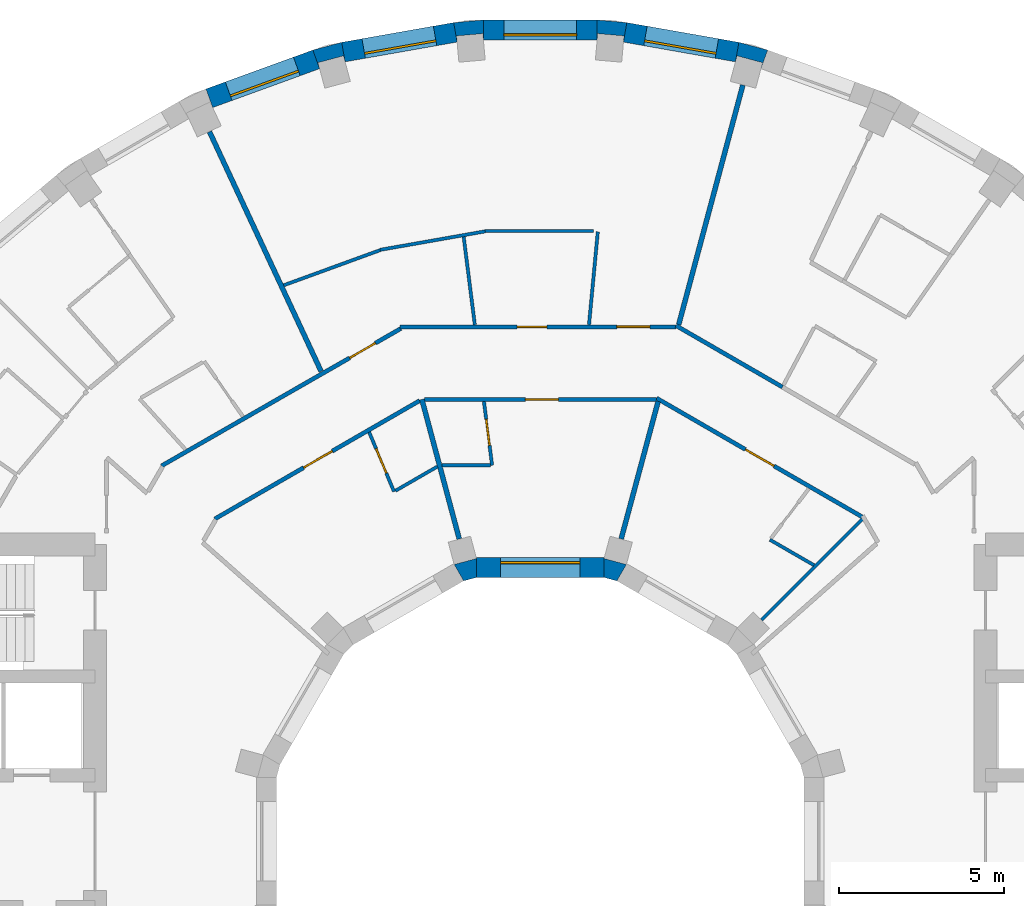
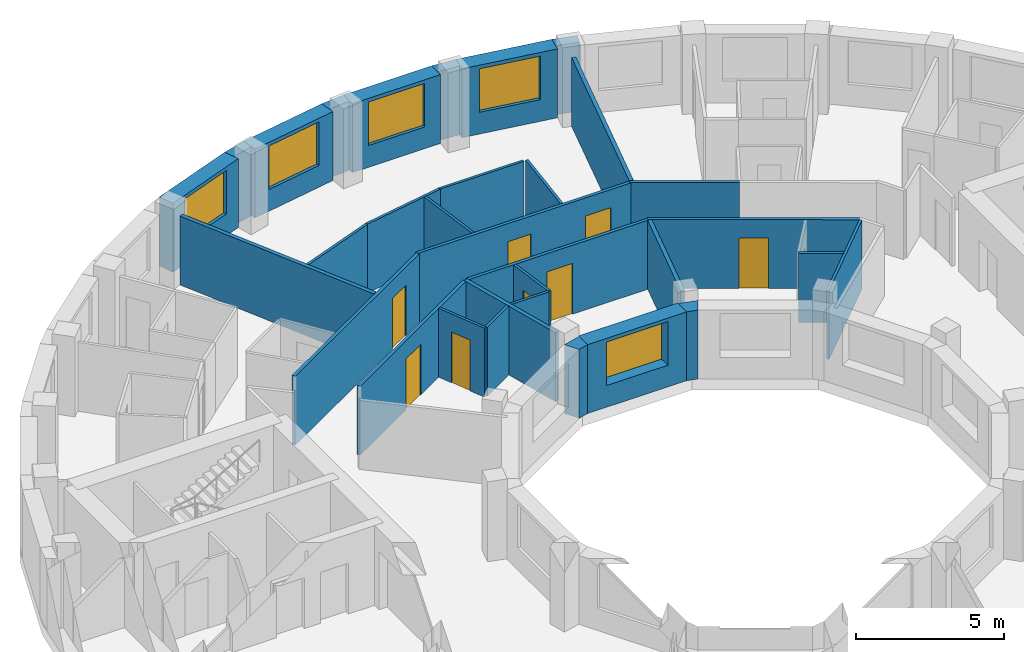
# One storey, part 8 of 11: 32 walls, 8 doors, 5 windows, 13 openings.
"""IFC4 building model written with IfcOpenShell, lengths in metres."""

import ifcopenshell
import ifcopenshell.guid

model = None  # the IFC model being written
_history = None  # IfcOwnerHistory: only IFC2X3 demands one
_inside = {}  # id of a spatial element -> (the spatial element, [elements in it])
_under = {}  # id of a project, library or spatial element -> (it, [spatial elements below it])
_declared = {}  # id of a project -> (the project, [libraries it declares])
_typed = {}  # id of a type object -> (the type object, [elements of that type])
_made_of = {}  # id of a material, layer set ... -> (it, [elements and type objects made of it])


def new_model(schema):
    """Start an empty IFC model of exactly this schema.

    Asked for "IFC4X3", IfcOpenShell would pick the latest addendum, in which some entities
    have other attributes; the version numbers below select the first issue.
    IFC2X3 requires an IfcOwnerHistory on every rooted entity: one is made here for all.
    """
    global model, _history
    if schema == "IFC4X3":
        model = ifcopenshell.file(schema_version=(4, 3, 0, 0))
    else:
        model = ifcopenshell.file(schema=schema)
    _inside.clear()
    _under.clear()
    _declared.clear()
    _typed.clear()
    _made_of.clear()
    _history = None
    if model.schema == "IFC2X3":
        org = make("IfcOrganization", Name="unknown")
        user = make(
            "IfcPersonAndOrganization",
            ThePerson=make("IfcPerson", FamilyName="unknown"),
            TheOrganization=org,
        )
        app = make(
            "IfcApplication",
            ApplicationDeveloper=org,
            Version="unknown",
            ApplicationFullName="unknown",
            ApplicationIdentifier="unknown",
        )
        _history = make(
            "IfcOwnerHistory",
            OwningUser=user,
            OwningApplication=app,
            ChangeAction="ADDED",
            CreationDate=0,
        )
    return model


def make(cls, **values):
    """One entity of the class cls with the attributes given. An attribute that is None is left unset."""
    return model.create_entity(
        cls, **{name: value for name, value in values.items() if value is not None}
    )


def rooted(cls, **values):
    """An entity with a GlobalId (a new one), such as an element, a storey or a relation."""
    return make(cls, GlobalId=ifcopenshell.guid.new(), OwnerHistory=_history, **values)


def si_unit(unit_type, name, prefix=None):
    """IfcSIUnit, for example si_unit("LENGTHUNIT", "METRE", prefix="MILLI")."""
    return make("IfcSIUnit", UnitType=unit_type, Prefix=prefix, Name=name)


def assignment(units):
    """IfcUnitAssignment: the units of a project."""
    return None if units is None else make("IfcUnitAssignment", Units=units)


def point(xyz):
    """IfcCartesianPoint."""
    return None if xyz is None else make("IfcCartesianPoint", Coordinates=xyz)


def direction(xyz):
    """IfcDirection."""
    return None if xyz is None else make("IfcDirection", DirectionRatios=xyz)


def frame(location, z_axis=None, x_axis=None):
    """IfcAxis2Placement3D, a coordinate frame: its origin and axes. An axis left out is left unset."""
    return make(
        "IfcAxis2Placement3D",
        Location=point(location),
        Axis=direction(z_axis),
        RefDirection=direction(x_axis),
    )


def frame_2d(location, x_axis=None):
    """IfcAxis2Placement2D, a coordinate frame in the plane: its origin and x axis."""
    return make(
        "IfcAxis2Placement2D", Location=point(location), RefDirection=direction(x_axis)
    )


def origin():
    """The frame at (0, 0, 0) with its axes left unset."""
    return frame((0.0, 0.0, 0.0))


def place(relative_to, where):
    """IfcLocalPlacement: puts the frame where relative to a parent placement (None: the world)."""
    return make(
        "IfcLocalPlacement", PlacementRelTo=relative_to, RelativePlacement=where
    )


def context(
    kind, dimensions, precision=None, world=None, true_north=None, identifier=None
):
    """IfcGeometricRepresentationContext, for example the 3D "Model" context."""
    return make(
        "IfcGeometricRepresentationContext",
        ContextIdentifier=identifier,
        ContextType=kind,
        CoordinateSpaceDimension=dimensions,
        Precision=precision,
        WorldCoordinateSystem=world,
        TrueNorth=true_north,
    )


def subcontext(parent, identifier, kind, view, scale=None):
    """IfcGeometricRepresentationSubContext, for example "Body" below "Model"."""
    return make(
        "IfcGeometricRepresentationSubContext",
        ContextIdentifier=identifier,
        ContextType=kind,
        ParentContext=parent,
        TargetScale=scale,
        TargetView=view,
    )


def project(units=None, contexts=None):
    """IfcProject with its units and contexts."""
    return rooted(
        "IfcProject",
        Name="project",
        RepresentationContexts=contexts,
        UnitsInContext=assignment(units),
    )


def spatial(cls, under=None, at=None, **own):
    """A site, building, storey or space (cls), placed at a placement, below another one or the project."""
    s = rooted(cls, ObjectPlacement=at, **own)
    if under is not None:
        _under.setdefault(under.id(), (under, []))[1].append(s)
    return s


def polyline(points):
    """IfcPolyline through the points."""
    return make("IfcPolyline", Points=[point(p) for p in points])


def profile(cls, at=None, kind="AREA", **sizes):
    """A parametric profile (cls). Its sizes go by their IFC names, for example OverallWidth=200.0."""
    return make(cls, ProfileType=kind, Position=at, **sizes)


def rectangle(**sizes):
    """IfcRectangleProfileDef."""
    return profile("IfcRectangleProfileDef", **sizes)


def outline(outer, holes=None, kind="AREA"):
    """IfcArbitraryClosedProfileDef: a profile drawn as a closed curve; with holes, ...WithVoids."""
    if holes is None:
        return make("IfcArbitraryClosedProfileDef", ProfileType=kind, OuterCurve=outer)
    return make(
        "IfcArbitraryProfileDefWithVoids",
        ProfileType=kind,
        OuterCurve=outer,
        InnerCurves=holes,
    )


def extrude(swept, where, along, depth):
    """IfcExtrudedAreaSolid: the profile swept, set in the frame where, extruded along a direction by depth."""
    return make(
        "IfcExtrudedAreaSolid",
        SweptArea=swept,
        Position=where,
        ExtrudedDirection=direction(along),
        Depth=depth,
    )


def shape(context_of_items, identifier, shape_type, items):
    """IfcShapeRepresentation: the items that make up one representation, for example the "Body"."""
    return make(
        "IfcShapeRepresentation",
        ContextOfItems=context_of_items,
        RepresentationIdentifier=identifier,
        RepresentationType=shape_type,
        Items=items,
    )


def material(Name=None, Category=None):
    """IfcMaterial."""
    return make("IfcMaterial", Name=Name, Category=Category)


def layer(
    of_material, thickness, ventilated=None, Name=None, Category=None, Priority=None
):
    """IfcMaterialLayer: one layer of a wall or slab, of a material (None: an air gap)."""
    return make(
        "IfcMaterialLayer",
        Material=of_material,
        LayerThickness=thickness,
        IsVentilated=ventilated,
        Name=Name,
        Category=Category,
        Priority=Priority,
    )


def layer_set(layers, Name=None):
    """IfcMaterialLayerSet."""
    return make("IfcMaterialLayerSet", MaterialLayers=layers, LayerSetName=Name)


def made_of(thing, what):
    """Note that an element or type object is made of a material, layer set ...; save() writes the relation."""
    if what is not None:
        _made_of.setdefault(what.id(), (what, []))[1].append(thing)
    return thing


def type_object(cls, material=None, **own):
    """A type object (cls), such as IfcWallType, which elements share."""
    return made_of(rooted(cls, **own), material)


def element(
    cls,
    number,
    at=None,
    inside=None,
    cuts=None,
    type_object=None,
    material=None,
    context=None,
    identifier="Body",
    shape_type=None,
    held_by="IfcProductDefinitionShape",
    body=None,
    shapes=None,
    **own,
):
    """One element of the class cls, such as IfcWall. Its Tag is "e" and its number.

    at: its placement. inside: the storey or other place that contains it. cuts: it is an
    opening in that element (IfcRelVoidsElement). A single representation is given by context,
    identifier, shape_type and body (its items); several are given by shapes. held_by: the class
    of the entity that holds the representations. save() writes the other relations.
    """
    e = rooted(cls, Tag="e%d" % number, ObjectPlacement=at, **own)
    if body is not None:
        shapes = [shape(context, identifier, shape_type, body)]
    if shapes is not None:
        e.Representation = make(held_by, Representations=shapes)
    if inside is not None:
        _inside.setdefault(inside.id(), (inside, []))[1].append(e)
    if cuts is not None:
        rooted(
            "IfcRelVoidsElement", RelatingBuildingElement=cuts, RelatedOpeningElement=e
        )
    if type_object is not None:
        _typed.setdefault(type_object.id(), (type_object, []))[1].append(e)
    return made_of(e, material)


def fill(opening, filler):
    """IfcRelFillsElement: the door or window that sits in an opening."""
    return rooted(
        "IfcRelFillsElement",
        RelatingOpeningElement=opening,
        RelatedBuildingElement=filler,
    )


def aggregate(whole, parts):
    """IfcRelAggregates: a whole, such as a stair, and the parts it consists of."""
    return rooted("IfcRelAggregates", RelatingObject=whole, RelatedObjects=parts)


def save(model, path):
    """Write the relations noted so far, then the file.

    IfcRelAggregates (storeys below a building ...), IfcRelContainedInSpatialStructure (elements
    in a storey), IfcRelDefinesByType, IfcRelAssociatesMaterial and IfcRelDeclares: one each for
    every whole, place, type object, material and project.
    """
    for whole, parts in _under.values():
        aggregate(whole, parts)
    for where, things in _inside.values():
        rooted(
            "IfcRelContainedInSpatialStructure",
            RelatedElements=things,
            RelatingStructure=where,
        )
    for kind, things in _typed.values():
        rooted("IfcRelDefinesByType", RelatedObjects=things, RelatingType=kind)
    for what, things in _made_of.values():
        rooted("IfcRelAssociatesMaterial", RelatedObjects=things, RelatingMaterial=what)
    for by, libraries in _declared.values():
        rooted("IfcRelDeclares", RelatingContext=by, RelatedDefinitions=libraries)
    model.write(path)


model = new_model("IFC4")

# Units and contexts
model_context = context("Model", 3, precision=1e-05, world=origin(), true_north=direction((0.0, 1.0)))
body_context = subcontext(model_context, "Body", "Model", "MODEL_VIEW")
ifc_project = project(units=[si_unit("LENGTHUNIT", "METRE"), si_unit("AREAUNIT", "SQUARE_METRE"), si_unit("VOLUMEUNIT", "CUBIC_METRE"), si_unit("PLANEANGLEUNIT", "RADIAN"), si_unit("MASSUNIT", "GRAM", prefix="KILO")], contexts=[model_context])

# Site, building, storey
site_placement = place(None, origin())
site = spatial("IfcSite", under=ifc_project, at=site_placement, CompositionType="ELEMENT")
building_placement = place(site_placement, origin())
building = spatial("IfcBuilding", under=site, at=building_placement, Name="Saqina Gate Tower", CompositionType="ELEMENT")
storey_placement = place(building_placement, frame((0.0, 0.0, 180.60009765625)))
storey = spatial("IfcBuildingStorey", under=building, at=storey_placement, Name="L51", CompositionType="ELEMENT", Elevation=180.60009765625)

# Walls
ifc_material_1 = material(Name="Brick masonry (buff)", Category="masonry")
wall_type_1 = type_object("IfcWallType", Name="BRICK PIER COPING BUFF", PredefinedType="SOLIDWALL", material=ifc_material_1)
wall_1_placement = place(storey_placement, origin())
element("IfcWall", 1, at=wall_1_placement, inside=storey, type_object=wall_type_1, Name="Pier cap L51 column 8", PredefinedType="SOLIDWALL", context=body_context, shape_type="SweptSolid", body=[
    extrude(outline(polyline([(6.0234375, 24.22705078125), (5.919189453125, 23.635986328125), (5.967529296875, 23.81689453125), (6.740478515625, 23.610107421875), (6.69189453125, 23.428955078125), (6.897216796875, 23.992919921875), (6.0234375, 24.22705078125)])), origin(), (0.0, 0.0, 1.0), 2.849853515625),
])
wall_2_placement = place(storey_placement, origin())
element("IfcWall", 2, at=wall_2_placement, inside=storey, type_object=wall_type_1, Name="Pier cap L51 column 9", PredefinedType="SOLIDWALL", context=body_context, shape_type="SweptSolid", body=[
    extrude(outline(polyline([(2.6259765625, 24.825927734375), (1.724853515625, 24.90478515625), (1.724853515625, 24.304931640625), (1.7412109375, 24.491455078125), (2.5380859375, 24.421630859375), (2.521728515625, 24.235107421875), (2.6259765625, 24.825927734375)])), origin(), (0.0, 0.0, 1.0), 2.849853515625),
])
wall_3_placement = place(storey_placement, origin())
element("IfcWall", 3, at=wall_3_placement, inside=storey, type_object=wall_type_1, Name="Pier cap L51 column 10", PredefinedType="SOLIDWALL", context=body_context, shape_type="SweptSolid", body=[
    extrude(outline(polyline([(-1.724853515625, 24.90478515625), (-2.6259765625, 24.825927734375), (-2.521728515625, 24.235107421875), (-2.5380859375, 24.421630859375), (-1.7412109375, 24.491455078125), (-1.724853515625, 24.304931640625), (-1.724853515625, 24.90478515625)])), origin(), (0.0, 0.0, 1.0), 2.849853515625),
])
wall_4_placement = place(storey_placement, origin())
element("IfcWall", 4, at=wall_4_placement, inside=storey, type_object=wall_type_1, Name="Pier cap L51 column 11", PredefinedType="SOLIDWALL", context=body_context, shape_type="SweptSolid", body=[
    extrude(outline(polyline([(-6.0234375, 24.22705078125), (-6.897216796875, 23.992919921875), (-6.69189453125, 23.428955078125), (-6.740478515625, 23.610107421875), (-5.967529296875, 23.81689453125), (-5.919189453125, 23.635986328125), (-6.0234375, 24.22705078125)])), origin(), (0.0, 0.0, 1.0), 2.849853515625),
])

# Wall, opening, window
ifc_material_2 = material(Name="Brick masonry (buff)", Category="masonry")
ifc_layer_1 = layer(ifc_material_2, 0.60009765625)
ifc_layer_set_1 = layer_set([ifc_layer_1], Name="FW-BRICK-BUFF")
wall_type_2 = type_object("IfcWallType", Name="FW-BRICK-BUFF", PredefinedType="SOLIDWALL", material=ifc_layer_set_1)
wall_5_placement = place(storey_placement, frame((5.97119140625, 23.931640625, 0.0), z_axis=(0.0, 0.0, 1.0), x_axis=(-0.984814892183, 0.173607684551, 0.0)))
wall_5 = element("IfcWall", 5, at=wall_5_placement, inside=storey, type_object=wall_type_2, Name="Facade wall L51 facet 8", PredefinedType="SOLIDWALL", context=body_context, shape_type="SweptSolid", body=[
    extrude(rectangle(XDim=3.44970703125, YDim=0.60009765625, at=frame_2d((1.724853515625, 0.0))), origin(), (0.0, 0.0, 1.0), 2.849853515625),
])
opening_1_placement = place(wall_5_placement, frame((0.625, 0.0, 0.89990234375)))
opening_1 = element("IfcOpeningElement", 6, at=opening_1_placement, cuts=wall_5, Name="Opening G15-W05", PredefinedType="OPENING", context=body_context, shape_type="SweptSolid", body=[
    extrude(rectangle(XDim=2.199951171875, YDim=1.800048828125, at=frame_2d((1.10009765625, 0.89990234375))), frame((0.0, 0.31201171875, 0.0), z_axis=(0.0, -1.0, 0.0), x_axis=(1.0, 0.0, 0.0)), (0.0, 0.0, 1.0), 0.6240234375),
])
ifc_material_3 = material(Name="Aluminium glazing", Category="aluminium")
window_type_1 = type_object("IfcWindowType", Name="WN-C", PartitioningType="SINGLE_PANEL", PredefinedType="WINDOW", material=ifc_material_3)
window_1_placement = place(opening_1_placement, origin())
window_1 = element("IfcWindow", 7, at=window_1_placement, inside=storey, type_object=window_type_1, Name="Window L51 facet 8", OverallHeight=1.800048828125, OverallWidth=2.199951171875, PartitioningType="SINGLE_PANEL", PredefinedType="WINDOW", context=body_context, shape_type="SweptSolid", body=[
    extrude(rectangle(XDim=2.199951171875, YDim=1.800048828125, at=frame_2d((1.10009765625, 0.89990234375))), frame((0.0, 0.179931640625, 0.0), z_axis=(0.0, -1.0, 0.0), x_axis=(1.0, 0.0, 0.0)), (0.0, 0.0, 1.0), 0.06005859375),
])
fill(opening_1, window_1)

wall_6_placement = place(storey_placement, frame((1.724853515625, 24.60498046875, 0.0), z_axis=(0.0, 0.0, 1.0), x_axis=(-1.0, 0.0, 0.0)))
wall_6 = element("IfcWall", 8, at=wall_6_placement, inside=storey, type_object=wall_type_2, Name="Facade wall L51 facet 9", PredefinedType="SOLIDWALL", context=body_context, shape_type="SweptSolid", body=[
    extrude(rectangle(XDim=3.44970703125, YDim=0.60009765625, at=frame_2d((1.724853515625, 0.0))), origin(), (0.0, 0.0, 1.0), 2.849853515625),
])
opening_2_placement = place(wall_6_placement, frame((0.625, 0.0, 0.89990234375)))
opening_2 = element("IfcOpeningElement", 9, at=opening_2_placement, cuts=wall_6, Name="Opening G15-W06", PredefinedType="OPENING", context=body_context, shape_type="SweptSolid", body=[
    extrude(rectangle(XDim=2.199951171875, YDim=1.800048828125, at=frame_2d((1.10009765625, 0.89990234375))), frame((0.0, 0.31201171875, 0.0), z_axis=(0.0, -1.0, 0.0), x_axis=(1.0, 0.0, 0.0)), (0.0, 0.0, 1.0), 0.6240234375),
])
window_2_placement = place(opening_2_placement, origin())
window_2 = element("IfcWindow", 10, at=window_2_placement, inside=storey, type_object=window_type_1, Name="Window L51 facet 9", OverallHeight=1.800048828125, OverallWidth=2.199951171875, PartitioningType="SINGLE_PANEL", PredefinedType="WINDOW", context=body_context, shape_type="SweptSolid", body=[
    extrude(rectangle(XDim=2.199951171875, YDim=1.800048828125, at=frame_2d((1.10009765625, 0.89990234375))), frame((0.0, 0.179931640625, 0.0), z_axis=(0.0, -1.0, 0.0), x_axis=(1.0, 0.0, 0.0)), (0.0, 0.0, 1.0), 0.06005859375),
])
fill(opening_2, window_2)

wall_7_placement = place(storey_placement, frame((-2.573974609375, 24.530517578125, 0.0), z_axis=(0.0, 0.0, 1.0), x_axis=(-0.984814892183, -0.173607684551, 0.0)))
wall_7 = element("IfcWall", 11, at=wall_7_placement, inside=storey, type_object=wall_type_2, Name="Facade wall L51 facet 10", PredefinedType="SOLIDWALL", context=body_context, shape_type="SweptSolid", body=[
    extrude(rectangle(XDim=3.44970703125, YDim=0.60009765625, at=frame_2d((1.724853515625, 0.0))), origin(), (0.0, 0.0, 1.0), 2.849853515625),
])
opening_3_placement = place(wall_7_placement, frame((0.625, 0.0, 0.89990234375)))
opening_3 = element("IfcOpeningElement", 12, at=opening_3_placement, cuts=wall_7, Name="Opening G15-W07", PredefinedType="OPENING", context=body_context, shape_type="SweptSolid", body=[
    extrude(rectangle(XDim=2.199951171875, YDim=1.800048828125, at=frame_2d((1.10009765625, 0.89990234375))), frame((0.0, 0.31201171875, 0.0), z_axis=(0.0, -1.0, 0.0), x_axis=(1.0, 0.0, 0.0)), (0.0, 0.0, 1.0), 0.6240234375),
])
window_3_placement = place(opening_3_placement, origin())
window_3 = element("IfcWindow", 13, at=window_3_placement, inside=storey, type_object=window_type_1, Name="Window L51 facet 10", OverallHeight=1.800048828125, OverallWidth=2.199951171875, PartitioningType="SINGLE_PANEL", PredefinedType="WINDOW", context=body_context, shape_type="SweptSolid", body=[
    extrude(rectangle(XDim=2.199951171875, YDim=1.800048828125, at=frame_2d((1.10009765625, 0.89990234375))), frame((0.0, 0.179931640625, 0.0), z_axis=(0.0, -1.0, 0.0), x_axis=(1.0, 0.0, 0.0)), (0.0, 0.0, 1.0), 0.06005859375),
])
fill(opening_3, window_3)

wall_8_placement = place(storey_placement, frame((-6.79443359375, 23.7109375, 0.0), z_axis=(0.0, 0.0, 1.0), x_axis=(-0.93968799822, -0.342032843455, 0.0)))
wall_8 = element("IfcWall", 14, at=wall_8_placement, inside=storey, type_object=wall_type_2, Name="Facade wall L51 facet 11", PredefinedType="SOLIDWALL", context=body_context, shape_type="SweptSolid", body=[
    extrude(rectangle(XDim=3.44970703125, YDim=0.60009765625, at=frame_2d((1.724853515625, 0.0))), origin(), (0.0, 0.0, 1.0), 2.849853515625),
])
opening_4_placement = place(wall_8_placement, frame((0.625, 0.0, 0.89990234375)))
opening_4 = element("IfcOpeningElement", 15, at=opening_4_placement, cuts=wall_8, Name="Opening G15-W08", PredefinedType="OPENING", context=body_context, shape_type="SweptSolid", body=[
    extrude(rectangle(XDim=2.199951171875, YDim=1.800048828125, at=frame_2d((1.10009765625, 0.89990234375))), frame((0.0, 0.31201171875, 0.0), z_axis=(0.0, -1.0, 0.0), x_axis=(1.0, 0.0, 0.0)), (0.0, 0.0, 1.0), 0.6240234375),
])
window_4_placement = place(opening_4_placement, origin())
window_4 = element("IfcWindow", 16, at=window_4_placement, inside=storey, type_object=window_type_1, Name="Window L51 facet 11", OverallHeight=1.800048828125, OverallWidth=2.199951171875, PartitioningType="SINGLE_PANEL", PredefinedType="WINDOW", context=body_context, shape_type="SweptSolid", body=[
    extrude(rectangle(XDim=2.199951171875, YDim=1.800048828125, at=frame_2d((1.10009765625, 0.89990234375))), frame((0.0, 0.179931640625, 0.0), z_axis=(0.0, -1.0, 0.0), x_axis=(1.0, 0.0, 0.0)), (0.0, 0.0, 1.0), 0.06005859375),
])
fill(opening_4, window_4)

ifc_material_4 = material(Name="Glazed ceramic tile", Category="ceramic")
ifc_layer_2 = layer(ifc_material_4, 0.60009765625)
ifc_layer_set_2 = layer_set([ifc_layer_2], Name="IW-TILE")
wall_type_3 = type_object("IfcWallType", Name="IW-TILE", PredefinedType="SOLIDWALL", material=ifc_layer_set_2)
wall_9_placement = place(storey_placement, frame((1.934814453125, 8.300048828125, 0.0), z_axis=(0.0, 0.0, 1.0), x_axis=(-1.0, 0.0, 0.0)))
wall_9 = element("IfcWall", 17, at=wall_9_placement, inside=storey, type_object=wall_type_3, Name="Well wall L51 facet 3", PredefinedType="SOLIDWALL", context=body_context, shape_type="SweptSolid", body=[
    extrude(rectangle(XDim=3.86962890625, YDim=0.60009765625, at=frame_2d((1.934814453125, 0.0))), origin(), (0.0, 0.0, 1.0), 2.849853515625),
])
opening_5_placement = place(wall_9_placement, frame((0.73486328125, 0.0, 0.89990234375)))
opening_5 = element("IfcOpeningElement", 18, at=opening_5_placement, cuts=wall_9, Name="Opening G15-W28", PredefinedType="OPENING", context=body_context, shape_type="SweptSolid", body=[
    extrude(rectangle(XDim=2.39990234375, YDim=1.800048828125, at=frame_2d((1.199951171875, 0.89990234375))), frame((0.0, 0.31201171875, 0.0), z_axis=(0.0, -1.0, 0.0), x_axis=(1.0, 0.0, 0.0)), (0.0, 0.0, 1.0), 0.6240234375),
])
ifc_material_5 = material(Name="Aluminium glazing", Category="aluminium")
window_type_2 = type_object("IfcWindowType", Name="WN-W", PartitioningType="SINGLE_PANEL", PredefinedType="WINDOW", material=ifc_material_5)
window_5_placement = place(opening_5_placement, origin())
window_5 = element("IfcWindow", 19, at=window_5_placement, inside=storey, type_object=window_type_2, Name="Well window L51 facet 3", OverallHeight=1.800048828125, OverallWidth=2.39990234375, PartitioningType="SINGLE_PANEL", PredefinedType="WINDOW", context=body_context, shape_type="SweptSolid", body=[
    extrude(rectangle(XDim=2.39990234375, YDim=1.800048828125, at=frame_2d((1.199951171875, 0.89990234375))), frame((0.0, -0.119873046875, 0.0), z_axis=(0.0, -1.0, 0.0), x_axis=(1.0, 0.0, 0.0)), (0.0, 0.0, 1.0), 0.06005859375),
])
fill(opening_5, window_5)

# Wall
ifc_material_6 = material(Name="Gypsum board on steel studs, 100 mm", Category="steel")
ifc_layer_3 = layer(ifc_material_6, 0.10009765625)
ifc_layer_set_3 = layer_set([ifc_layer_3], Name="PARTITION 100")
wall_type_4 = type_object("IfcWallType", Name="PARTITION 100", PredefinedType="PARTITIONING", material=ifc_layer_set_3)
wall_10_placement = place(storey_placement, frame((-2.32275390625, 18.330322265625, 0.0), z_axis=(0.0, 0.0, 1.0), x_axis=(0.125632208846, -0.992076886184, 0.0)))
element("IfcWall", 20, at=wall_10_placement, inside=storey, type_object=wall_type_4, Name="PARTITION PW3-02", PredefinedType="PARTITIONING", context=body_context, shape_type="SweptSolid", body=[
    extrude(rectangle(XDim=2.689453125, YDim=0.10009765625, at=frame_2d((1.3447265625, 0.0))), origin(), (0.0, 0.0, 1.0), 2.849853515625),
])

# Wall, opening, door
wall_11_placement = place(storey_placement, frame((-1.708984375, 13.337890625, 0.0), z_axis=(0.0, 0.0, 1.0), x_axis=(0.126956267131, -0.991908315439, 0.0)))
wall_11 = element("IfcWall", 21, at=wall_11_placement, inside=storey, type_object=wall_type_4, Name="PARTITION PW3-03", PredefinedType="PARTITIONING", context=body_context, shape_type="SweptSolid", body=[
    extrude(rectangle(XDim=1.953857421875, YDim=0.10009765625, at=frame_2d((0.97705078125, 0.0))), origin(), (0.0, 0.0, 1.0), 2.849853515625),
])
opening_6_placement = place(wall_11_placement, frame((0.545654296875, 0.0, 0.0)))
opening_6 = element("IfcOpeningElement", 22, at=opening_6_placement, cuts=wall_11, Name="Opening G15-D12", PredefinedType="OPENING", context=body_context, shape_type="SweptSolid", body=[
    extrude(rectangle(XDim=0.800048828125, YDim=2.10009765625, at=frame_2d((0.39990234375, 1.050048828125))), frame((0.0, 0.06201171875, 0.0), z_axis=(0.0, -1.0, 0.0), x_axis=(1.0, 0.0, 0.0)), (0.0, 0.0, 1.0), 0.1240234375),
])
ifc_material_7 = material(Name="Timber door leaf, 800 mm", Category="wood")
door_type_1 = type_object("IfcDoorType", Name="DOOR 800 TIMBER", OperationType="SINGLE_SWING_LEFT", PredefinedType="DOOR", material=ifc_material_7)
door_1_placement = place(opening_6_placement, origin())
door_1 = element("IfcDoor", 23, at=door_1_placement, inside=storey, type_object=door_type_1, Name="DOOR G15-D12", OperationType="SINGLE_SWING_LEFT", OverallHeight=2.10009765625, OverallWidth=0.800048828125, PredefinedType="DOOR", context=body_context, shape_type="SweptSolid", body=[
    extrude(rectangle(XDim=0.800048828125, YDim=2.10009765625, at=frame_2d((0.39990234375, 1.050048828125))), frame((0.0, 0.02490234375, 0.0), z_axis=(0.0, -1.0, 0.0), x_axis=(1.0, 0.0, 0.0)), (0.0, 0.0, 1.0), 0.050048828125),
])
fill(opening_6, door_1)

wall_12_placement = place(storey_placement, frame((-5.18896484375, 12.4052734375, 0.0), z_axis=(0.0, 0.0, 1.0), x_axis=(0.385910563531, -0.922536198182, 0.0)))
wall_12 = element("IfcWall", 24, at=wall_12_placement, inside=storey, type_object=wall_type_4, Name="PARTITION PW3-05", PredefinedType="PARTITIONING", context=body_context, shape_type="SweptSolid", body=[
    extrude(rectangle(XDim=1.95361328125, YDim=0.10009765625, at=frame_2d((0.976806640625, 0.0))), origin(), (0.0, 0.0, 1.0), 2.849853515625),
])
opening_7_placement = place(wall_12_placement, frame((0.545654296875, 0.0, 0.0)))
opening_7 = element("IfcOpeningElement", 25, at=opening_7_placement, cuts=wall_12, Name="Opening G15-D14", PredefinedType="OPENING", context=body_context, shape_type="SweptSolid", body=[
    extrude(rectangle(XDim=0.800048828125, YDim=2.10009765625, at=frame_2d((0.39990234375, 1.050048828125))), frame((0.0, 0.06201171875, 0.0), z_axis=(0.0, -1.0, 0.0), x_axis=(1.0, 0.0, 0.0)), (0.0, 0.0, 1.0), 0.1240234375),
])
door_2_placement = place(opening_7_placement, frame((0.800048828125, 0.0, 0.0), z_axis=(0.0, 0.0, 1.0), x_axis=(-1.0, 0.0, 0.0)))
door_2 = element("IfcDoor", 26, at=door_2_placement, inside=storey, type_object=door_type_1, Name="DOOR G15-D14", OperationType="SINGLE_SWING_RIGHT", OverallHeight=2.10009765625, OverallWidth=0.800048828125, PredefinedType="DOOR", context=body_context, shape_type="SweptSolid", body=[
    extrude(rectangle(XDim=0.800048828125, YDim=2.10009765625, at=frame_2d((0.39990234375, 1.050048828125))), frame((0.0, 0.02490234375, 0.0), z_axis=(0.0, -1.0, 0.0), x_axis=(1.0, 0.0, 0.0)), (0.0, 0.0, 1.0), 0.050048828125),
])
fill(opening_7, door_2)

# Walls
wall_13_placement = place(storey_placement, frame((6.965087890625, 9.14208984375, 0.0), z_axis=(0.0, 0.0, 1.0), x_axis=(0.865956409518, -0.500119482538, 0.0)))
element("IfcWall", 27, at=wall_13_placement, inside=storey, type_object=wall_type_4, Name="PARTITION PW3-24", PredefinedType="PARTITIONING", context=body_context, shape_type="SweptSolid", body=[
    extrude(rectangle(XDim=1.54345703125, YDim=0.10009765625, at=frame_2d((0.771728515625, 0.0))), origin(), (0.0, 0.0, 1.0), 2.849853515625),
])
wall_14_placement = place(storey_placement, frame((-2.97998046875, 11.39990234375, 0.0), z_axis=(0.0, 0.0, 1.0), x_axis=(1.0, 0.0, 0.0)))
element("IfcWall", 28, at=wall_14_placement, inside=storey, type_object=wall_type_4, Name="PARTITION PW3-33", PredefinedType="PARTITIONING", context=body_context, shape_type="SweptSolid", body=[
    extrude(rectangle(XDim=1.468994140625, YDim=0.10009765625, at=frame_2d((0.734375, 0.0))), origin(), (0.0, 0.0, 1.0), 2.849853515625),
])
wall_15_placement = place(storey_placement, frame((-1.669677734375, 18.5048828125, 0.0), z_axis=(0.0, 0.0, 1.0), x_axis=(1.0, 0.0, 0.0)))
element("IfcWall", 29, at=wall_15_placement, inside=storey, type_object=wall_type_4, Name="PARTITION PW3-34", PredefinedType="PARTITIONING", context=body_context, shape_type="SweptSolid", body=[
    extrude(rectangle(XDim=3.28857421875, YDim=0.10009765625, at=frame_2d((1.644287109375, 0.0))), origin(), (0.0, 0.0, 1.0), 2.849853515625),
])
wall_16_placement = place(storey_placement, frame((-4.85791015625, 17.93408203125, 0.0), z_axis=(0.0, 0.0, 1.0), x_axis=(0.984816929669, 0.173596126217, 0.0)))
element("IfcWall", 30, at=wall_16_placement, inside=storey, type_object=wall_type_4, Name="PARTITION PW3-35", PredefinedType="PARTITIONING", context=body_context, shape_type="SweptSolid", body=[
    extrude(rectangle(XDim=3.23876953125, YDim=0.10009765625, at=frame_2d((1.619384765625, 0.0))), origin(), (0.0, 0.0, 1.0), 2.849853515625),
])
wall_17_placement = place(storey_placement, frame((-7.779541015625, 16.860595703125, 0.0), z_axis=(0.0, 0.0, 1.0), x_axis=(0.939616954474, 0.3422279633, 0.0)))
element("IfcWall", 31, at=wall_17_placement, inside=storey, type_object=wall_type_4, Name="PARTITION PW3-37", PredefinedType="PARTITIONING", context=body_context, shape_type="SweptSolid", body=[
    extrude(rectangle(XDim=3.112548828125, YDim=0.10009765625, at=frame_2d((1.55615234375, 0.0))), origin(), (0.0, 0.0, 1.0), 2.849853515625),
])
wall_18_placement = place(storey_placement, frame((-4.3916015625, 10.6279296875, 0.0), z_axis=(0.0, 0.0, 1.0), x_axis=(0.865911474639, 0.500197279169, 0.0)))
element("IfcWall", 32, at=wall_18_placement, inside=storey, type_object=wall_type_4, Name="PARTITION PW3-41", PredefinedType="PARTITIONING", context=body_context, shape_type="SweptSolid", body=[
    extrude(rectangle(XDim=1.46875, YDim=0.10009765625, at=frame_2d((0.734375, 0.0))), origin(), (0.0, 0.0, 1.0), 2.849853515625),
])
wall_19_placement = place(storey_placement, frame((6.7119140625, 6.7119140625, 0.0), z_axis=(0.0, 0.0, 1.0), x_axis=(0.707106781187, 0.707106781187, 0.0)))
element("IfcWall", 33, at=wall_19_placement, inside=storey, type_object=wall_type_4, Name="PARTITION PW3-50", PredefinedType="PARTITIONING", context=body_context, shape_type="SweptSolid", body=[
    extrude(rectangle(XDim=4.317626953125, YDim=0.10009765625, at=frame_2d((2.15869140625, 0.0))), origin(), (0.0, 0.0, 1.0), 2.849853515625),
])
wall_20_placement = place(storey_placement, frame((1.477783203125, 15.662109375, 0.0), z_axis=(0.0, 0.0, 1.0), x_axis=(0.094349605613, 0.995539126263, 0.0)))
element("IfcWall", 34, at=wall_20_placement, inside=storey, type_object=wall_type_4, Name="PARTITION PW3-62", PredefinedType="PARTITIONING", context=body_context, shape_type="SweptSolid", body=[
    extrude(rectangle(XDim=2.83349609375, YDim=0.10009765625, at=frame_2d((1.416748046875, 0.0))), origin(), (0.0, 0.0, 1.0), 2.849853515625),
])

# Wall, opening, door
ifc_material_8 = material(Name="Gypsum board on steel studs, 125 mm, fire rated", Category="steel")
ifc_layer_4 = layer(ifc_material_8, 0.125)
ifc_layer_set_4 = layer_set([ifc_layer_4], Name="PARTITION EI 30 125")
wall_type_5 = type_object("IfcWallType", Name="PARTITION EI 30 125", PredefinedType="PARTITIONING", material=ifc_layer_set_4)
wall_21_placement = place(storey_placement, frame((3.528564453125, 13.43603515625, 0.0), z_axis=(0.0, 0.0, 1.0), x_axis=(0.865968995572, -0.500097689165, 0.0)))
wall_21 = element("IfcWall", 35, at=wall_21_placement, inside=storey, type_object=wall_type_5, Name="PARTITION PW1-16", PredefinedType="PARTITIONING", context=body_context, shape_type="SweptSolid", body=[
    extrude(rectangle(XDim=7.18994140625, YDim=0.125, at=frame_2d((3.594970703125, 0.0))), origin(), (0.0, 0.0, 1.0), 2.849853515625),
])
opening_8_placement = place(wall_21_placement, frame((3.111572265625, 0.0, 0.0)))
opening_8 = element("IfcOpeningElement", 36, at=opening_8_placement, cuts=wall_21, Name="Opening G15-D07", PredefinedType="OPENING", context=body_context, shape_type="SweptSolid", body=[
    extrude(rectangle(XDim=1.0, YDim=2.10009765625, at=frame_2d((0.5, 1.050048828125))), frame((0.0, 0.074462890625, 0.0), z_axis=(0.0, -1.0, 0.0), x_axis=(1.0, 0.0, 0.0)), (0.0, 0.0, 1.0), 0.14892578125),
])
ifc_material_9 = material(Name="Fire door leaf EI 30, 1000 mm")
door_type_2 = type_object("IfcDoorType", Name="DOOR 1000 EI 30", OperationType="SINGLE_SWING_LEFT", PredefinedType="DOOR", material=ifc_material_9)
door_3_placement = place(opening_8_placement, frame((1.0, 0.0, 0.0), z_axis=(0.0, 0.0, 1.0), x_axis=(-1.0, 0.0, 0.0)))
door_3 = element("IfcDoor", 37, at=door_3_placement, inside=storey, type_object=door_type_2, Name="DOOR G15-D07", OperationType="SINGLE_SWING_LEFT", OverallHeight=2.10009765625, OverallWidth=1.0, PredefinedType="DOOR", context=body_context, shape_type="SweptSolid", body=[
    extrude(rectangle(XDim=1.0, YDim=2.10009765625, at=frame_2d((0.5, 1.050048828125))), frame((0.0, 0.02490234375, 0.0), z_axis=(0.0, -1.0, 0.0), x_axis=(1.0, 0.0, 0.0)), (0.0, 0.0, 1.0), 0.050048828125),
])
fill(opening_8, door_3)

# Wall
wall_22_placement = place(storey_placement, frame((4.117431640625, 15.635986328125, 0.0), z_axis=(0.0, 0.0, 1.0), x_axis=(0.866036031404, -0.49998159197, 0.0)))
element("IfcWall", 38, at=wall_22_placement, inside=storey, type_object=wall_type_5, Name="PARTITION PW1-17", PredefinedType="PARTITIONING", context=body_context, shape_type="SweptSolid", body=[
    extrude(rectangle(XDim=3.724365234375, YDim=0.125, at=frame_2d((1.8623046875, 0.0))), origin(), (0.0, 0.0, 1.0), 2.849853515625),
])

# Wall, opening, door
wall_23_placement = place(storey_placement, frame((-3.51611328125, 13.39990234375, 0.0), z_axis=(0.0, 0.0, 1.0), x_axis=(1.0, 0.0, 0.0)))
wall_23 = element("IfcWall", 39, at=wall_23_placement, inside=storey, type_object=wall_type_5, Name="PARTITION PW1-21", PredefinedType="PARTITIONING", context=body_context, shape_type="SweptSolid", body=[
    extrude(rectangle(XDim=7.044677734375, YDim=0.125, at=frame_2d((3.5224609375, 0.0))), origin(), (0.0, 0.0, 1.0), 2.849853515625),
])
opening_9_placement = place(wall_23_placement, frame((3.06689453125, 0.0, 0.0)))
opening_9 = element("IfcOpeningElement", 40, at=opening_9_placement, cuts=wall_23, Name="Opening G15-D10", PredefinedType="OPENING", context=body_context, shape_type="SweptSolid", body=[
    extrude(rectangle(XDim=1.0, YDim=2.10009765625, at=frame_2d((0.5, 1.050048828125))), frame((0.0, 0.074462890625, 0.0), z_axis=(0.0, -1.0, 0.0), x_axis=(1.0, 0.0, 0.0)), (0.0, 0.0, 1.0), 0.14892578125),
])
door_4_placement = place(opening_9_placement, frame((1.0, 0.0, 0.0), z_axis=(0.0, 0.0, 1.0), x_axis=(-1.0, 0.0, 0.0)))
door_4 = element("IfcDoor", 41, at=door_4_placement, inside=storey, type_object=door_type_2, Name="DOOR G15-D10", OperationType="SINGLE_SWING_LEFT", OverallHeight=2.10009765625, OverallWidth=1.0, PredefinedType="DOOR", context=body_context, shape_type="SweptSolid", body=[
    extrude(rectangle(XDim=1.0, YDim=2.10009765625, at=frame_2d((0.5, 1.050048828125))), frame((0.0, 0.02490234375, 0.0), z_axis=(0.0, -1.0, 0.0), x_axis=(1.0, 0.0, 0.0)), (0.0, 0.0, 1.0), 0.050048828125),
])
fill(opening_9, door_4)

# Wall, openings, doors
wall_24_placement = place(storey_placement, frame((-4.251953125, 15.60009765625, 0.0), z_axis=(0.0, 0.0, 1.0), x_axis=(1.0, 0.0, 0.0)))
wall_24 = element("IfcWall", 42, at=wall_24_placement, inside=storey, type_object=wall_type_5, Name="PARTITION PW1-22", PredefinedType="PARTITIONING", context=body_context, shape_type="SweptSolid", body=[
    extrude(rectangle(XDim=8.369384765625, YDim=0.125, at=frame_2d((4.1845703125, 0.0))), origin(), (0.0, 0.0, 1.0), 2.849853515625),
])
opening_10_placement = place(wall_24_placement, frame((6.578125, 0.0, 0.0)))
opening_10 = element("IfcOpeningElement", 43, at=opening_10_placement, cuts=wall_24, Name="Opening G15-D09", PredefinedType="OPENING", context=body_context, shape_type="SweptSolid", body=[
    extrude(rectangle(XDim=1.0, YDim=2.10009765625, at=frame_2d((0.5, 1.050048828125))), frame((0.0, 0.074462890625, 0.0), z_axis=(0.0, -1.0, 0.0), x_axis=(1.0, 0.0, 0.0)), (0.0, 0.0, 1.0), 0.14892578125),
])
opening_11_placement = place(wall_24_placement, frame((3.549560546875, 0.0, 0.0)))
opening_11 = element("IfcOpeningElement", 44, at=opening_11_placement, cuts=wall_24, Name="Opening G15-D11", PredefinedType="OPENING", context=body_context, shape_type="SweptSolid", body=[
    extrude(rectangle(XDim=0.89990234375, YDim=2.10009765625, at=frame_2d((0.449951171875, 1.050048828125))), frame((0.0, 0.074462890625, 0.0), z_axis=(0.0, -1.0, 0.0), x_axis=(1.0, 0.0, 0.0)), (0.0, 0.0, 1.0), 0.14892578125),
])
door_5_placement = place(opening_10_placement, frame((1.0, 0.0, 0.0), z_axis=(0.0, 0.0, 1.0), x_axis=(-1.0, 0.0, 0.0)))
door_5 = element("IfcDoor", 45, at=door_5_placement, inside=storey, type_object=door_type_2, Name="DOOR G15-D09", OperationType="SINGLE_SWING_LEFT", OverallHeight=2.10009765625, OverallWidth=1.0, PredefinedType="DOOR", context=body_context, shape_type="SweptSolid", body=[
    extrude(rectangle(XDim=1.0, YDim=2.10009765625, at=frame_2d((0.5, 1.050048828125))), frame((0.0, 0.02490234375, 0.0), z_axis=(0.0, -1.0, 0.0), x_axis=(1.0, 0.0, 0.0)), (0.0, 0.0, 1.0), 0.050048828125),
])
fill(opening_10, door_5)
ifc_material_10 = material(Name="Fire door leaf EI 30, 900 mm")
door_type_3 = type_object("IfcDoorType", Name="DOOR 900 EI 30", OperationType="SINGLE_SWING_LEFT", PredefinedType="DOOR", material=ifc_material_10)
door_6_placement = place(opening_11_placement, origin())
door_6 = element("IfcDoor", 46, at=door_6_placement, inside=storey, type_object=door_type_3, Name="DOOR G15-D11", OperationType="SINGLE_SWING_LEFT", OverallHeight=2.10009765625, OverallWidth=0.89990234375, PredefinedType="DOOR", context=body_context, shape_type="SweptSolid", body=[
    extrude(rectangle(XDim=0.89990234375, YDim=2.10009765625, at=frame_2d((0.449951171875, 1.050048828125))), frame((0.0, 0.02490234375, 0.0), z_axis=(0.0, -1.0, 0.0), x_axis=(1.0, 0.0, 0.0)), (0.0, 0.0, 1.0), 0.050048828125),
])
fill(opening_11, door_6)

# Wall, opening, door
wall_25_placement = place(storey_placement, frame((-11.48388671875, 11.384765625, 0.0), z_axis=(0.0, 0.0, 1.0), x_axis=(0.867331679026, 0.49773060842, 0.0)))
wall_25 = element("IfcWall", 47, at=wall_25_placement, inside=storey, type_object=wall_type_5, Name="PARTITION PW1-23", PredefinedType="PARTITIONING", context=body_context, shape_type="SweptSolid", body=[
    extrude(rectangle(XDim=8.37060546875, YDim=0.125, at=frame_2d((4.185302734375, 0.0))), origin(), (0.0, 0.0, 1.0), 2.849853515625),
])
opening_12_placement = place(wall_25_placement, frame((6.5751953125, 0.0, 0.0)))
opening_12 = element("IfcOpeningElement", 48, at=opening_12_placement, cuts=wall_25, Name="Opening G15-D13", PredefinedType="OPENING", context=body_context, shape_type="SweptSolid", body=[
    extrude(rectangle(XDim=0.89990234375, YDim=2.10009765625, at=frame_2d((0.449951171875, 1.050048828125))), frame((0.0, 0.074462890625, 0.0), z_axis=(0.0, -1.0, 0.0), x_axis=(1.0, 0.0, 0.0)), (0.0, 0.0, 1.0), 0.14892578125),
])
door_7_placement = place(opening_12_placement, origin())
door_7 = element("IfcDoor", 49, at=door_7_placement, inside=storey, type_object=door_type_3, Name="DOOR G15-D13", OperationType="SINGLE_SWING_RIGHT", OverallHeight=2.10009765625, OverallWidth=0.89990234375, PredefinedType="DOOR", context=body_context, shape_type="SweptSolid", body=[
    extrude(rectangle(XDim=0.89990234375, YDim=2.10009765625, at=frame_2d((0.449951171875, 1.050048828125))), frame((0.0, 0.02490234375, 0.0), z_axis=(0.0, -1.0, 0.0), x_axis=(1.0, 0.0, 0.0)), (0.0, 0.0, 1.0), 0.050048828125),
])
fill(opening_12, door_7)

wall_26_placement = place(storey_placement, frame((-9.871337890625, 9.77294921875, 0.0), z_axis=(0.0, 0.0, 1.0), x_axis=(0.865954448031, 0.500122878836, 0.0)))
wall_26 = element("IfcWall", 50, at=wall_26_placement, inside=storey, type_object=wall_type_5, Name="PARTITION PW1-26", PredefinedType="PARTITIONING", context=body_context, shape_type="SweptSolid", body=[
    extrude(rectangle(XDim=7.177490234375, YDim=0.125, at=frame_2d((3.5888671875, 0.0))), origin(), (0.0, 0.0, 1.0), 2.849853515625),
])
opening_13_placement = place(wall_26_placement, frame((3.111572265625, 0.0, 0.0)))
opening_13 = element("IfcOpeningElement", 51, at=opening_13_placement, cuts=wall_26, Name="Opening G15-D15", PredefinedType="OPENING", context=body_context, shape_type="SweptSolid", body=[
    extrude(rectangle(XDim=1.0, YDim=2.10009765625, at=frame_2d((0.5, 1.050048828125))), frame((0.0, 0.074462890625, 0.0), z_axis=(0.0, -1.0, 0.0), x_axis=(1.0, 0.0, 0.0)), (0.0, 0.0, 1.0), 0.14892578125),
])
door_8_placement = place(opening_13_placement, frame((1.0, 0.0, 0.0), z_axis=(0.0, 0.0, 1.0), x_axis=(-1.0, 0.0, 0.0)))
door_8 = element("IfcDoor", 52, at=door_8_placement, inside=storey, type_object=door_type_2, Name="DOOR G15-D15", OperationType="SINGLE_SWING_LEFT", OverallHeight=2.10009765625, OverallWidth=1.0, PredefinedType="DOOR", context=body_context, shape_type="SweptSolid", body=[
    extrude(rectangle(XDim=1.0, YDim=2.10009765625, at=frame_2d((0.5, 1.050048828125))), frame((0.0, 0.02490234375, 0.0), z_axis=(0.0, -1.0, 0.0), x_axis=(1.0, 0.0, 0.0)), (0.0, 0.0, 1.0), 0.050048828125),
])
fill(opening_13, door_8)

# Walls
ifc_material_11 = material(Name="Gypsum board on steel studs, 150 mm, fire rated", Category="steel")
ifc_layer_5 = layer(ifc_material_11, 0.14990234375)
ifc_layer_set_5 = layer_set([ifc_layer_5], Name="PARTITION EI 60 150")
wall_type_6 = type_object("IfcWallType", Name="PARTITION EI 60 150", PredefinedType="PARTITIONING", material=ifc_layer_set_5)
wall_27_placement = place(storey_placement, frame((-3.591064453125, 13.39990234375, 0.0), z_axis=(0.0, 0.0, 1.0), x_axis=(0.25888001656, -0.965909486974, 0.0)))
element("IfcWall", 53, at=wall_27_placement, inside=storey, type_object=wall_type_6, Name="PARTITION PW2-02", PredefinedType="PARTITIONING", context=body_context, shape_type="SweptSolid", body=[
    extrude(rectangle(XDim=4.380615234375, YDim=0.14990234375, at=frame_2d((2.1904296875, 0.0))), origin(), (0.0, 0.0, 1.0), 2.849853515625),
])
wall_28_placement = place(storey_placement, frame((-10.03125, 21.5166015625, 0.0), z_axis=(0.0, 0.0, 1.0), x_axis=(0.422305280768, -0.906453666679, 0.0)))
element("IfcWall", 54, at=wall_28_placement, inside=storey, type_object=wall_type_6, Name="PARTITION PW2-03", PredefinedType="PARTITIONING", context=body_context, shape_type="SweptSolid", body=[
    extrude(rectangle(XDim=8.017822265625, YDim=0.14990234375, at=frame_2d((4.0087890625, 0.0))), origin(), (0.0, 0.0, 1.0), 2.849853515625),
])
wall_29_placement = place(storey_placement, frame((2.45361328125, 9.169677734375, 0.0), z_axis=(0.0, 0.0, 1.0), x_axis=(0.259632812034, 0.965707410614, 0.0)))
element("IfcWall", 55, at=wall_29_placement, inside=storey, type_object=wall_type_6, Name="PARTITION PW2-05", PredefinedType="PARTITIONING", context=body_context, shape_type="SweptSolid", body=[
    extrude(rectangle(XDim=4.318115234375, YDim=0.14990234375, at=frame_2d((2.1591796875, 0.0))), origin(), (0.0, 0.0, 1.0), 2.849853515625),
])
wall_30_placement = place(storey_placement, frame((4.197509765625, 15.6630859375, 0.0), z_axis=(0.0, 0.0, 1.0), x_axis=(0.258633906583, 0.96597541499, 0.0)))
element("IfcWall", 56, at=wall_30_placement, inside=storey, type_object=wall_type_6, Name="PARTITION PW2-07", PredefinedType="PARTITIONING", context=body_context, shape_type="SweptSolid", body=[
    extrude(rectangle(XDim=7.5244140625, YDim=0.14990234375, at=frame_2d((3.76220703125, 0.0))), origin(), (0.0, 0.0, 1.0), 2.849853515625),
])
ifc_material_12 = material(Name="Glazed ceramic tile", Category="ceramic")
wall_type_7 = type_object("IfcWallType", Name="TILE PIER COPING", PredefinedType="SOLIDWALL", material=ifc_material_12)
wall_31_placement = place(storey_placement, origin())
element("IfcWall", 57, at=wall_31_placement, inside=storey, type_object=wall_type_7, Name="Well pier cap L51 column 3", PredefinedType="SOLIDWALL", context=body_context, shape_type="SweptSolid", body=[
    extrude(outline(polyline([(1.934814453125, 8.573486328125), (1.934814453125, 8.0), (2.32421875, 7.895751953125), (2.611083984375, 8.392333984375), (1.934814453125, 8.573486328125)])), origin(), (0.0, 0.0, 1.0), 2.849853515625),
])
wall_32_placement = place(storey_placement, origin())
element("IfcWall", 58, at=wall_32_placement, inside=storey, type_object=wall_type_7, Name="Well pier cap L51 column 4", PredefinedType="SOLIDWALL", context=body_context, shape_type="SweptSolid", body=[
    extrude(outline(polyline([(-1.934814453125, 8.0), (-1.934814453125, 8.573486328125), (-2.611083984375, 8.392333984375), (-2.32421875, 7.895751953125), (-1.934814453125, 8.0)])), origin(), (0.0, 0.0, 1.0), 2.849853515625),
])

save(model, "model.ifc")
